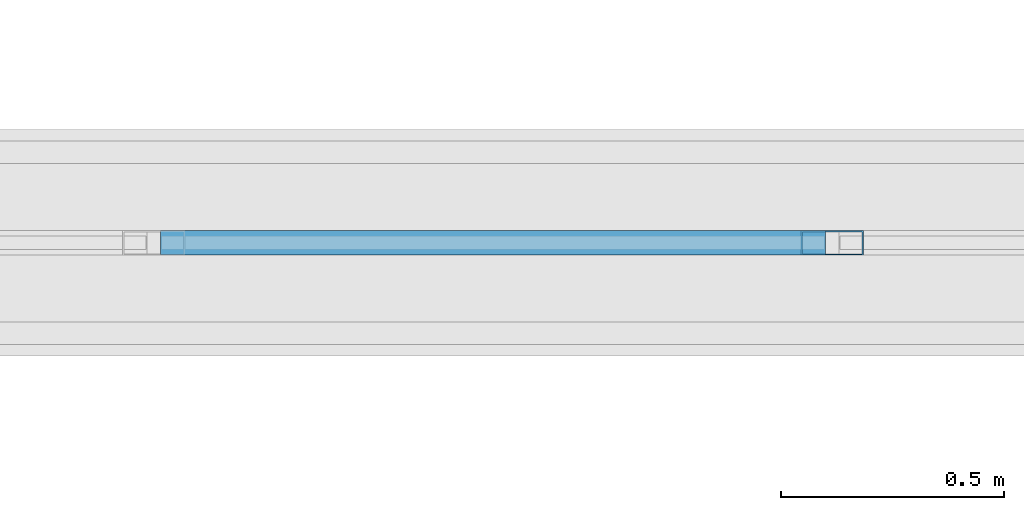
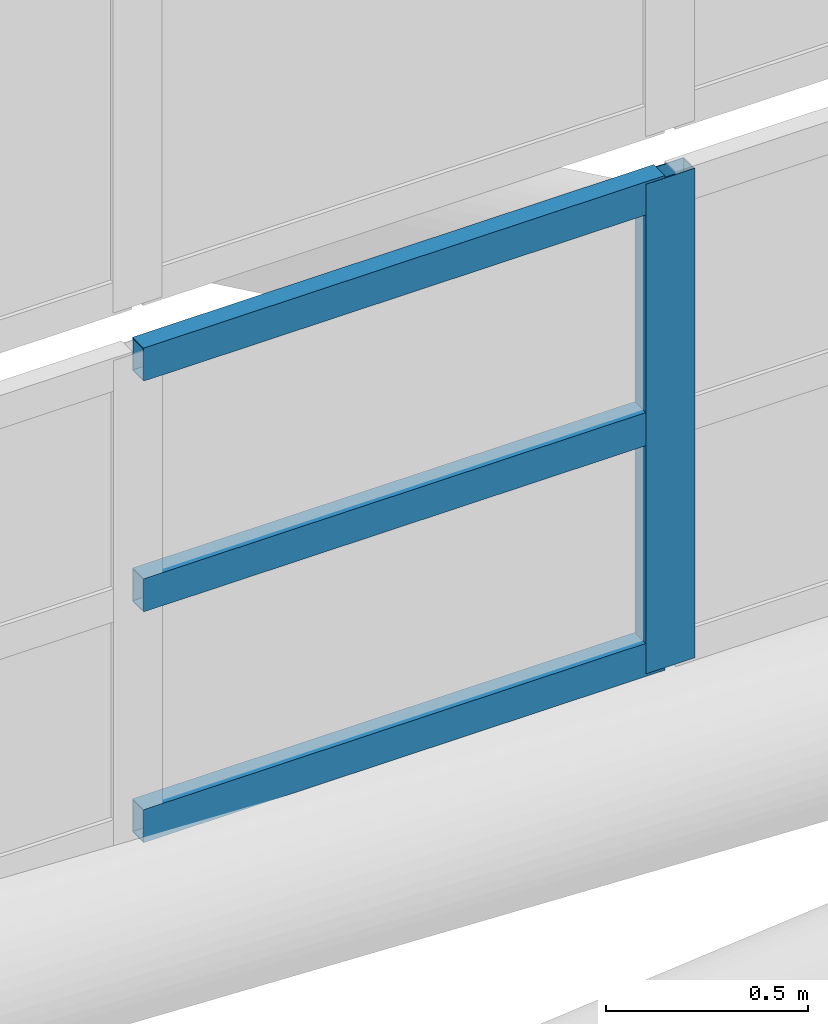
# One storey, part 302 of 397: 4 members, 1 element without a shape of its own.
"""IFC4 building model written with IfcOpenShell, lengths in metres."""

from ifc_helpers import new_model, si_unit, direction, frame, origin, origin_2d, place, context, subcontext, project, spatial, hollow_rectangle, extrude, material, material_profile, profile_set, type_object, element, aggregate, save


model = new_model("IFC4")

# Units and contexts
model_context = context("Model", 3, precision=1e-05, world=origin(), true_north=direction((0.0, 1.0)))
body_context = subcontext(model_context, "Body", "Model", "MODEL_VIEW")
ifc_project = project(units=[si_unit("LENGTHUNIT", "METRE"), si_unit("AREAUNIT", "SQUARE_METRE"), si_unit("VOLUMEUNIT", "CUBIC_METRE"), si_unit("PLANEANGLEUNIT", "RADIAN"), si_unit("MASSUNIT", "GRAM", prefix="KILO")], contexts=[model_context])

# Site, building, storey
site_placement = place(None, origin())
site = spatial("IfcSite", under=ifc_project, at=site_placement, CompositionType="ELEMENT")
building_placement = place(site_placement, origin())
building = spatial("IfcBuilding", under=site, at=building_placement, Name="Qandorah Velis Arena", CompositionType="ELEMENT")
storey_placement = place(building_placement, frame((0.0, 0.0, 27.5)))
storey = spatial("IfcBuildingStorey", under=building, at=storey_placement, Name="RF", CompositionType="ELEMENT", Elevation=27.5)

# Curtain wall, members
ifc_material_1 = material(Name="Solar-control low-E double glazing", Category="glass")
curtain_wall_type = type_object("IfcCurtainWallType", Name="ARC-CW-SYS24", PredefinedType="USERDEFINED", material=ifc_material_1)
curtain_wall_placement = place(storey_placement, origin())
curtain_wall = element("IfcCurtainWall", 1, at=curtain_wall_placement, inside=storey, type_object=curtain_wall_type, Name="Unitised curtain wall OCULUS-4-4", ObjectType="UNITISED CURTAIN WALL", PredefinedType="USERDEFINED")
ifc_material_2 = material(Name="Champagne-bronze anodized aluminium 6063-T6", Category="aluminium")
ifc_material_profile_1 = material_profile(ifc_material_2, hollow_rectangle(XDim=0.054931640625, YDim=0.139892578125, WallThickness=0.0029296875, at=origin_2d()), Name="ALU MULLION 55x140")
ifc_profile_set_1 = profile_set([ifc_material_profile_1], Name="Champagne-bronze anodized aluminium 6063-T6")
member_type_1 = type_object("IfcMemberType", Name="ARC-CWM-140", PredefinedType="MULLION", material=ifc_profile_set_1)
member_1_placement = place(storey_placement, frame((79.961181640625, 100.800048828125, 9.5341796875), z_axis=(0.0, 0.0, 1.0), x_axis=(0.0, 1.0, 0.0)))
member_1 = element("IfcMember", 2, at=member_1_placement, type_object=member_type_1, Name="CW24 mullion 6", PredefinedType="MULLION", context=body_context, shape_type="SweptSolid", body=[
    extrude(hollow_rectangle(XDim=0.054931640625, YDim=0.139892578125, WallThickness=0.0029296875, at=origin_2d()), origin(), (0.0, 0.0, 1.0), 1.480712890625),
])
ifc_material_profile_2 = material_profile(ifc_material_2, hollow_rectangle(XDim=0.054931640625, YDim=0.10009765625, WallThickness=0.0029296875, at=origin_2d()), Name="ALU TRANSOM 55x100")
ifc_profile_set_2 = profile_set([ifc_material_profile_2], Name="Champagne-bronze anodized aluminium 6063-T6")
member_type_2 = type_object("IfcMemberType", Name="ARC-CWT-100", PredefinedType="USERDEFINED", material=ifc_profile_set_2)
member_2_placement = place(storey_placement, frame((78.454345703125, 100.800048828125, 9.57666015625), z_axis=(1.0, 0.0, 0.0), x_axis=(0.0, 1.0, 0.0)))
member_2 = element("IfcMember", 3, at=member_2_placement, type_object=member_type_2, Name="CW24 transom 5.1", ObjectType="TRANSOM", PredefinedType="USERDEFINED", context=body_context, shape_type="SweptSolid", body=[
    extrude(hollow_rectangle(XDim=0.054931640625, YDim=0.10009765625, WallThickness=0.0029296875, at=origin_2d()), origin(), (0.0, 0.0, 1.0), 1.4912109375),
])
member_3_placement = place(storey_placement, frame((78.454345703125, 100.800048828125, 10.274658203125), z_axis=(1.0, 0.0, 0.0), x_axis=(0.0, 1.0, 0.0)))
member_3 = element("IfcMember", 4, at=member_3_placement, type_object=member_type_2, Name="CW24 transom 5.2", ObjectType="TRANSOM", PredefinedType="USERDEFINED", context=body_context, shape_type="SweptSolid", body=[
    extrude(hollow_rectangle(XDim=0.054931640625, YDim=0.10009765625, WallThickness=0.0029296875, at=origin_2d()), origin(), (0.0, 0.0, 1.0), 1.4912109375),
])
member_4_placement = place(storey_placement, frame((78.454345703125, 100.800048828125, 10.972412109375), z_axis=(1.0, 0.0, 0.0), x_axis=(0.0, 1.0, 0.0)))
member_4 = element("IfcMember", 5, at=member_4_placement, type_object=member_type_2, Name="CW24 transom 5.3", ObjectType="TRANSOM", PredefinedType="USERDEFINED", context=body_context, shape_type="SweptSolid", body=[
    extrude(hollow_rectangle(XDim=0.054931640625, YDim=0.10009765625, WallThickness=0.0029296875, at=origin_2d()), origin(), (0.0, 0.0, 1.0), 1.4912109375),
])
aggregate(curtain_wall, [member_1, member_2, member_3, member_4])

save(model, "model.ifc")
